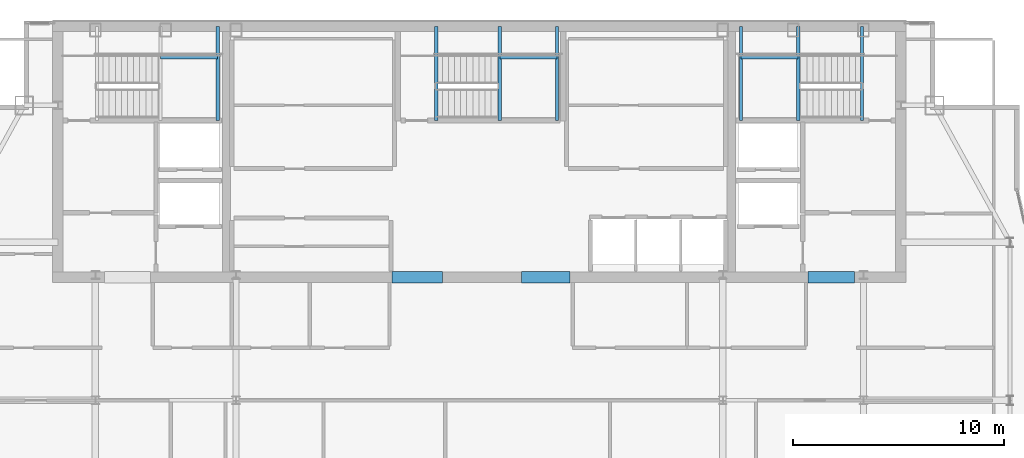
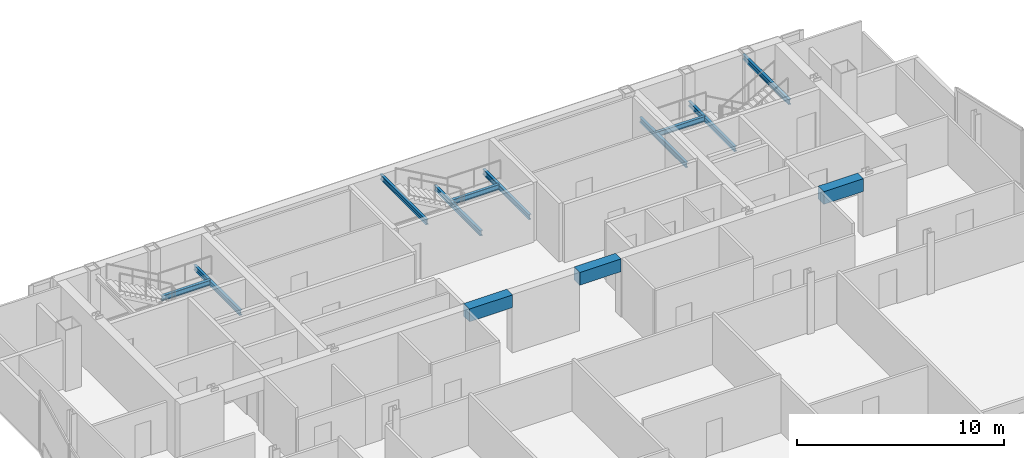
# One storey, part 21 of 29: 13 beams.
"""IFC4 building model written with IfcOpenShell, lengths in metres."""

from ifc_helpers import new_model, si_unit, direction, frame, origin, origin_2d, place, context, subcontext, project, spatial, rectangle, i_section, extrude, material, material_profile, profile_set, type_object, element, save


model = new_model("IFC4")

# Units and contexts
model_context = context("Model", 3, precision=1e-05, world=origin(), true_north=direction((0.0, 1.0)))
body_context = subcontext(model_context, "Body", "Model", "MODEL_VIEW")
ifc_project = project(units=[si_unit("LENGTHUNIT", "METRE"), si_unit("AREAUNIT", "SQUARE_METRE"), si_unit("VOLUMEUNIT", "CUBIC_METRE"), si_unit("PLANEANGLEUNIT", "RADIAN"), si_unit("MASSUNIT", "GRAM", prefix="KILO")], contexts=[model_context])

# Site, building, storey
site_placement = place(None, origin())
site = spatial("IfcSite", under=ifc_project, at=site_placement, CompositionType="ELEMENT")
building_placement = place(site_placement, origin())
building = spatial("IfcBuilding", under=site, at=building_placement, Name="Khoronbel Lancet Exchange", CompositionType="ELEMENT")
storey_placement = place(building_placement, frame((0.0, 0.0, 318.199951171875)))
storey = spatial("IfcBuildingStorey", under=building, at=storey_placement, Name="L82", CompositionType="ELEMENT", Elevation=318.199951171875)

# Beams
ifc_material_1 = material(Name="Steel S355", Category="steel")
ifc_material_profile_1 = material_profile(ifc_material_1, i_section(OverallWidth=0.14990234375, OverallDepth=0.300048828125, WebThickness=0.007080078125, FlangeThickness=0.0107421875, at=origin_2d()), Name="IPE 300")
ifc_profile_set_1 = profile_set([ifc_material_profile_1], Name="Steel S355")
beam_type_1 = type_object("IfcBeamType", Name="BM-BJ8", PredefinedType="JOIST", material=ifc_profile_set_1)
beam_1_placement = place(storey_placement, frame((24.030029296875, 48.97998046875, 1.449951171875), z_axis=(0.0, 1.0, 0.0), x_axis=(-1.0, 0.0, 0.0)))
element("IfcBeam", 1, at=beam_1_placement, inside=storey, type_object=beam_type_1, Name="Level L82 stair ST1 rear landing bearer beam 1", PredefinedType="JOIST", context=body_context, shape_type="SweptSolid", body=[
    extrude(i_section(OverallWidth=0.14990234375, OverallDepth=0.300048828125, WebThickness=0.007080078125, FlangeThickness=0.0107421875, at=origin_2d()), origin(), (0.0, 0.0, 1.0), 4.469970703125),
])
beam_2_placement = place(storey_placement, frame((21.320068359375, 51.97998046875, 1.449951171875), z_axis=(1.0, 0.0, 0.0), x_axis=(0.0, 1.0, 0.0)))
element("IfcBeam", 2, at=beam_2_placement, inside=storey, type_object=beam_type_1, Name="Level L82 stair ST1 landing cross trimmer beam 1", PredefinedType="JOIST", context=body_context, shape_type="SweptSolid", body=[
    extrude(i_section(OverallWidth=0.14990234375, OverallDepth=0.300048828125, WebThickness=0.007080078125, FlangeThickness=0.0107421875, at=origin_2d()), origin(), (0.0, 0.0, 1.0), 2.7099609375),
])
for number, where, z_axis, x_axis, name in (
    (3, (51.580078125, 48.97998046875, 1.449951171875), (0.0, 1.0, 0.0), (-1.0, 0.0, 0.0), "Level L82 stair ST2 landing bearer beam 1"),
    (4, (48.8701171875, 48.97998046875, 1.449951171875), (0.0, 1.0, 0.0), (-1.0, 0.0, 0.0), "Level L82 stair ST2 rear landing bearer beam 1"),
):
    element("IfcBeam", number, at=place(storey_placement, frame(where, z_axis=z_axis, x_axis=x_axis)), inside=storey, type_object=beam_type_1, Name=name, PredefinedType="JOIST", context=body_context, shape_type="SweptSolid", body=[
        extrude(i_section(OverallWidth=0.14990234375, OverallDepth=0.300048828125, WebThickness=0.007080078125, FlangeThickness=0.0107421875, at=origin_2d()), origin(), (0.0, 0.0, 1.0), 4.469970703125),
    ])
beam_3_placement = place(storey_placement, frame((48.8701171875, 51.97998046875, 1.449951171875), z_axis=(1.0, 0.0, 0.0), x_axis=(0.0, 1.0, 0.0)))
element("IfcBeam", 5, at=beam_3_placement, inside=storey, type_object=beam_type_1, Name="Level L82 stair ST2 landing cross trimmer beam 1", PredefinedType="JOIST", context=body_context, shape_type="SweptSolid", body=[
    extrude(i_section(OverallWidth=0.14990234375, OverallDepth=0.300048828125, WebThickness=0.007080078125, FlangeThickness=0.0107421875, at=origin_2d()), origin(), (0.0, 0.0, 1.0), 2.7099609375),
])
for number, where, z_axis, x_axis, name in (
    (6, (54.60009765625, 48.97998046875, 3.16015625), (0.0, 1.0, 0.0), (-1.0, 0.0, 0.0), "Level L82 stair ST2 upper-flight arrival trimmer beam"),
    (7, (37.419921875, 48.97998046875, 1.449951171875), (0.0, 1.0, 0.0), (-1.0, 0.0, 0.0), "Level L82 stair ST3 landing bearer beam 1"),
    (8, (40.1298828125, 48.97998046875, 1.449951171875), (0.0, 1.0, 0.0), (-1.0, 0.0, 0.0), "Level L82 stair ST3 rear landing bearer beam 1"),
):
    element("IfcBeam", number, at=place(storey_placement, frame(where, z_axis=z_axis, x_axis=x_axis)), inside=storey, type_object=beam_type_1, Name=name, PredefinedType="JOIST", context=body_context, shape_type="SweptSolid", body=[
        extrude(i_section(OverallWidth=0.14990234375, OverallDepth=0.300048828125, WebThickness=0.007080078125, FlangeThickness=0.0107421875, at=origin_2d()), origin(), (0.0, 0.0, 1.0), 4.469970703125),
    ])
beam_4_placement = place(storey_placement, frame((37.419921875, 51.97998046875, 1.449951171875), z_axis=(1.0, 0.0, 0.0), x_axis=(0.0, 1.0, 0.0)))
element("IfcBeam", 9, at=beam_4_placement, inside=storey, type_object=beam_type_1, Name="Level L82 stair ST3 landing cross trimmer beam 1", PredefinedType="JOIST", context=body_context, shape_type="SweptSolid", body=[
    extrude(i_section(OverallWidth=0.14990234375, OverallDepth=0.300048828125, WebThickness=0.007080078125, FlangeThickness=0.0107421875, at=origin_2d()), origin(), (0.0, 0.0, 1.0), 2.7099609375),
])
beam_5_placement = place(storey_placement, frame((34.39990234375, 48.97998046875, 3.16015625), z_axis=(0.0, 1.0, 0.0), x_axis=(-1.0, 0.0, 0.0)))
element("IfcBeam", 10, at=beam_5_placement, inside=storey, type_object=beam_type_1, Name="Level L82 stair ST3 upper-flight arrival trimmer beam", PredefinedType="JOIST", context=body_context, shape_type="SweptSolid", body=[
    extrude(i_section(OverallWidth=0.14990234375, OverallDepth=0.300048828125, WebThickness=0.007080078125, FlangeThickness=0.0107421875, at=origin_2d()), origin(), (0.0, 0.0, 1.0), 4.469970703125),
])
ifc_material_2 = material(Name="Concrete C60/75", Category="concrete")
ifc_material_profile_2 = material_profile(ifc_material_2, rectangle(XDim=0.550048828125, YDim=0.75, at=origin_2d()), Name="RC 550x750")
ifc_profile_set_2 = profile_set([ifc_material_profile_2], Name="Concrete C60/75")
beam_type_2 = type_object("IfcBeamType", Name="BM-BL2", PredefinedType="LINTEL", material=ifc_profile_set_2)
beam_6_placement = place(storey_placement, frame((32.300048828125, 41.550048828125, 3.06494140625), z_axis=(1.0, 0.0, 0.0), x_axis=(0.0, 1.0, 0.0)))
element("IfcBeam", 11, at=beam_6_placement, inside=storey, type_object=beam_type_2, Name="Level L82 rear core coupling lintel L2", PredefinedType="LINTEL", context=body_context, shape_type="SweptSolid", body=[
    extrude(rectangle(XDim=0.550048828125, YDim=0.75, at=origin_2d()), origin(), (0.0, 0.0, 1.0), 2.39990234375),
])
beam_7_placement = place(storey_placement, frame((38.449951171875, 41.550048828125, 3.06494140625), z_axis=(1.0, 0.0, 0.0), x_axis=(0.0, 1.0, 0.0)))
element("IfcBeam", 12, at=beam_7_placement, inside=storey, type_object=beam_type_2, Name="Level L82 rear core coupling lintel L3", PredefinedType="LINTEL", context=body_context, shape_type="SweptSolid", body=[
    extrude(rectangle(XDim=0.550048828125, YDim=0.75, at=origin_2d()), origin(), (0.0, 0.0, 1.0), 2.300048828125),
])
beam_8_placement = place(storey_placement, frame((52.050048828125, 41.550048828125, 3.06494140625), z_axis=(1.0, 0.0, 0.0), x_axis=(0.0, 1.0, 0.0)))
element("IfcBeam", 13, at=beam_8_placement, inside=storey, type_object=beam_type_2, Name="Level L82 rear core coupling lintel L4", PredefinedType="LINTEL", context=body_context, shape_type="SweptSolid", body=[
    extrude(rectangle(XDim=0.550048828125, YDim=0.75, at=origin_2d()), origin(), (0.0, 0.0, 1.0), 2.199951171875),
])

save(model, "model.ifc")
